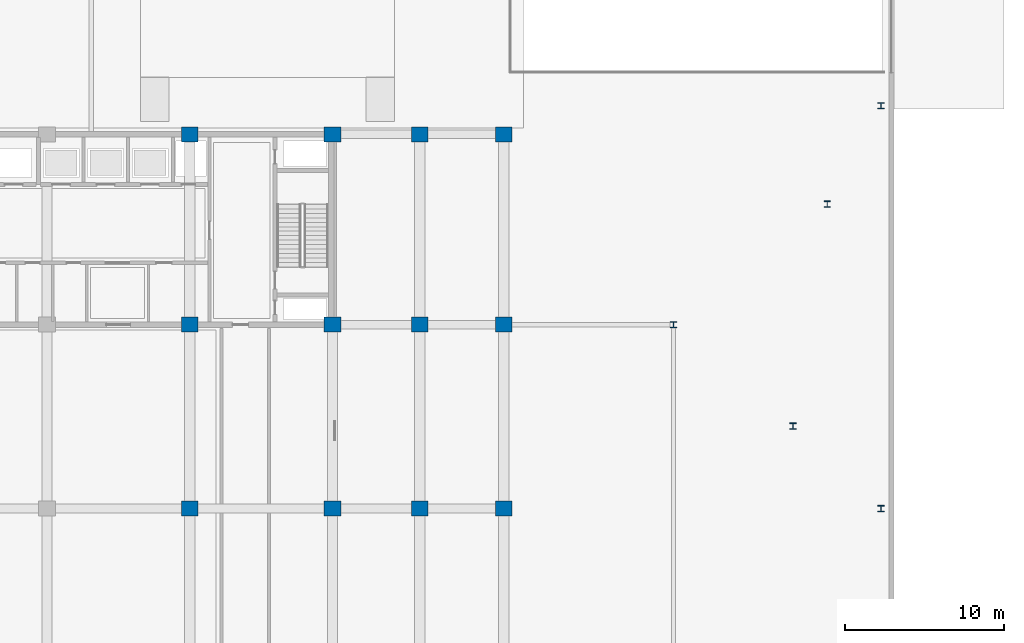
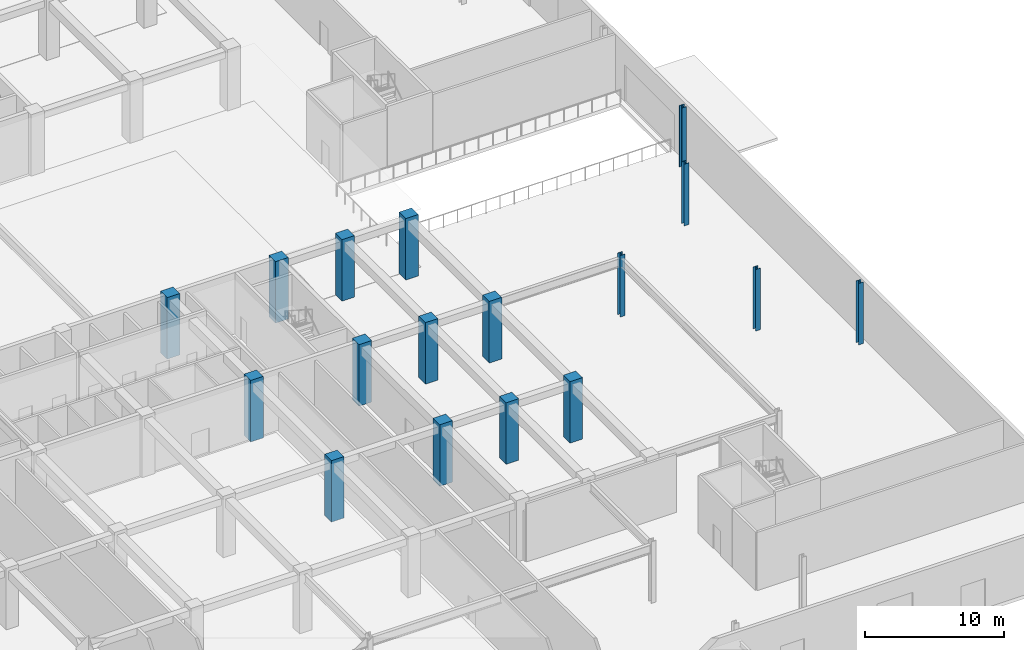
# One storey, part 5 of 46: 17 columns.
"""IFC4 building model written with IfcOpenShell, lengths in metres."""

from ifc_helpers import new_model, si_unit, direction, frame, origin, origin_2d, place, context, subcontext, project, spatial, rectangle, i_section, extrude, material, material_profile, profile_set, type_object, element, save


model = new_model("IFC4")

# Units and contexts
model_context = context("Model", 3, precision=1e-05, world=origin(), true_north=direction((0.0, 1.0)))
body_context = subcontext(model_context, "Body", "Model", "MODEL_VIEW")
ifc_project = project(units=[si_unit("LENGTHUNIT", "METRE"), si_unit("AREAUNIT", "SQUARE_METRE"), si_unit("VOLUMEUNIT", "CUBIC_METRE"), si_unit("PLANEANGLEUNIT", "RADIAN"), si_unit("MASSUNIT", "GRAM", prefix="KILO")], contexts=[model_context])

# Site, building, storey
site_placement = place(None, origin())
site = spatial("IfcSite", under=ifc_project, at=site_placement, CompositionType="ELEMENT")
building_placement = place(site_placement, origin())
building = spatial("IfcBuilding", under=site, at=building_placement, Name="Korimba Cascade Residences", CompositionType="ELEMENT")
storey_placement = place(building_placement, origin())
storey = spatial("IfcBuildingStorey", under=building, at=storey_placement, Name="L00", CompositionType="ELEMENT", Elevation=0.0)

# Columns
ifc_material_1 = material(Name="Concrete C80/95", Category="concrete")
ifc_material_profile_1 = material_profile(ifc_material_1, rectangle(XDim=1.050048828125, YDim=0.949951171875, at=origin_2d()), Name="Concrete C80/95")
ifc_profile_set_1 = profile_set([ifc_material_profile_1], Name="Concrete C80/95")
column_type_1 = type_object("IfcColumnType", Name="COL-RC-1050", PredefinedType="COLUMN", material=ifc_profile_set_1)
for number, where, z_axis, x_axis, name in (
    (1, (109.10009765625, 6.800048828125, 0.0), (0.0, 0.0, 1.0), (1.0, 0.0, 0.0), "L00 Tower 2 Column 5.2"),
    (2, (109.10009765625, 18.39990234375, 0.0), (0.0, 0.0, 1.0), (1.0, 0.0, 0.0), "L00 Tower 2 Column 5.3"),
    (3, (109.10009765625, 30.39990234375, 0.0), (0.0, 0.0, 1.0), (1.0, 0.0, 0.0), "L00 Tower 2 Column 5.4"),
    (4, (118.10009765625, 6.800048828125, 0.0), (0.0, 0.0, 1.0), (1.0, 0.0, 0.0), "L00 Tower 2 Column 6.2"),
    (5, (118.10009765625, 18.39990234375, 0.0), (0.0, 0.0, 1.0), (1.0, 0.0, 0.0), "L00 Tower 2 Column 6.3"),
    (6, (118.10009765625, 30.39990234375, 0.0), (0.0, 0.0, 1.0), (1.0, 0.0, 0.0), "L00 Tower 2 Column 6.4"),
    (7, (123.60009765625, 6.800048828125, 0.0), (0.0, 0.0, 1.0), (1.0, 0.0, 0.0), "L00 Tower 2 Column 7.2"),
    (8, (123.60009765625, 18.39990234375, 0.0), (0.0, 0.0, 1.0), (1.0, 0.0, 0.0), "L00 Tower 2 Column 7.3"),
    (9, (123.60009765625, 30.39990234375, 0.0), (0.0, 0.0, 1.0), (1.0, 0.0, 0.0), "L00 Tower 2 Column 7.4"),
    (10, (128.89990234375, 6.800048828125, 0.0), (0.0, 0.0, 1.0), (1.0, 0.0, 0.0), "L00 Tower 2 Column 8.2"),
    (11, (128.89990234375, 18.39990234375, 0.0), (0.0, 0.0, 1.0), (1.0, 0.0, 0.0), "L00 Tower 2 Column 8.3"),
    (12, (128.89990234375, 30.39990234375, 0.0), (0.0, 0.0, 1.0), (1.0, 0.0, 0.0), "L00 Tower 2 Column 8.4"),
):
    element("IfcColumn", number, at=place(storey_placement, frame(where, z_axis=z_axis, x_axis=x_axis)), inside=storey, type_object=column_type_1, Name=name, PredefinedType="COLUMN", context=body_context, shape_type="SweptSolid", body=[
        extrude(rectangle(XDim=1.050048828125, YDim=0.949951171875, at=origin_2d()), origin(), (0.0, 0.0, 1.0), 5.39990234375),
    ])
ifc_material_2 = material(Name="Steel S355", Category="steel")
ifc_material_profile_2 = material_profile(ifc_material_2, i_section(OverallWidth=0.39892578125, OverallDepth=0.3935546875, WebThickness=0.022705078125, FlangeThickness=0.03662109375, FilletRadius=0.01513671875, at=origin_2d()), Name="Steel S355")
ifc_profile_set_2 = profile_set([ifc_material_profile_2], Name="Steel S355")
column_type_2 = type_object("IfcColumnType", Name="COL-STL-UC287", PredefinedType="COLUMN", material=ifc_profile_set_2)
for number, where, z_axis, x_axis, name in (
    (13, (139.60009765625, 18.39990234375, 0.0), (0.0, 0.0, 1.0), (1.0, 0.0, 0.0), "L00 Podium Column PCE2"),
    (14, (149.300048828125, 26.0, 0.0), (0.0, 0.0, 1.0), (1.0, 0.0, 0.0), "L00 Podium Column PTE1"),
    (15, (147.14990234375, 12.0, 0.0), (0.0, 0.0, 1.0), (1.0, 0.0, 0.0), "L00 Podium Column PTE3"),
    (16, (152.699951171875, 6.800048828125, 0.0), (0.0, 0.0, 1.0), (1.0, 0.0, 0.0), "L00 Podium Column PLE2"),
    (17, (152.699951171875, 32.199951171875, 0.0), (0.0, 0.0, 1.0), (1.0, 0.0, 0.0), "L00 Podium Column PLE3"),
):
    element("IfcColumn", number, at=place(storey_placement, frame(where, z_axis=z_axis, x_axis=x_axis)), inside=storey, type_object=column_type_2, Name=name, PredefinedType="COLUMN", context=body_context, shape_type="SweptSolid", body=[
        extrude(i_section(OverallWidth=0.39892578125, OverallDepth=0.3935546875, WebThickness=0.022705078125, FlangeThickness=0.03662109375, FilletRadius=0.01513671875, at=origin_2d()), origin(), (0.0, 0.0, 1.0), 5.39990234375),
    ])

save(model, "model.ifc")
